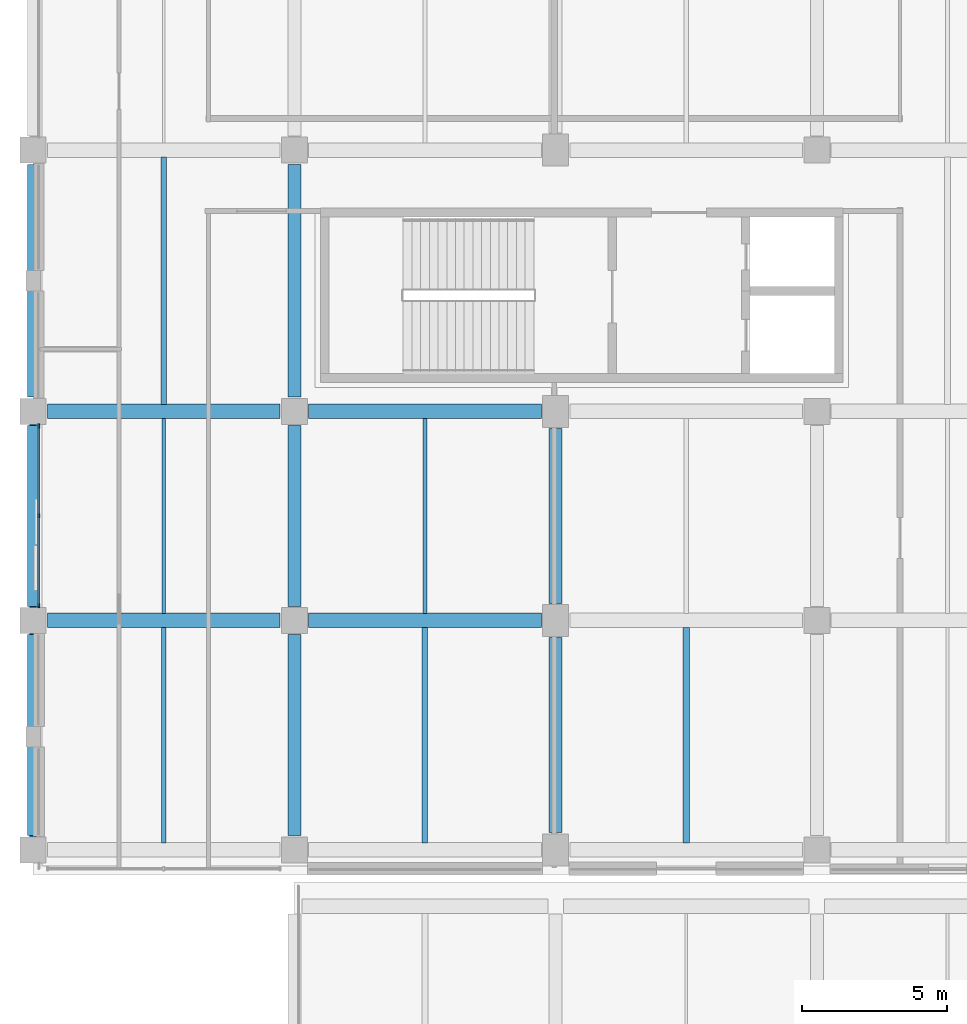
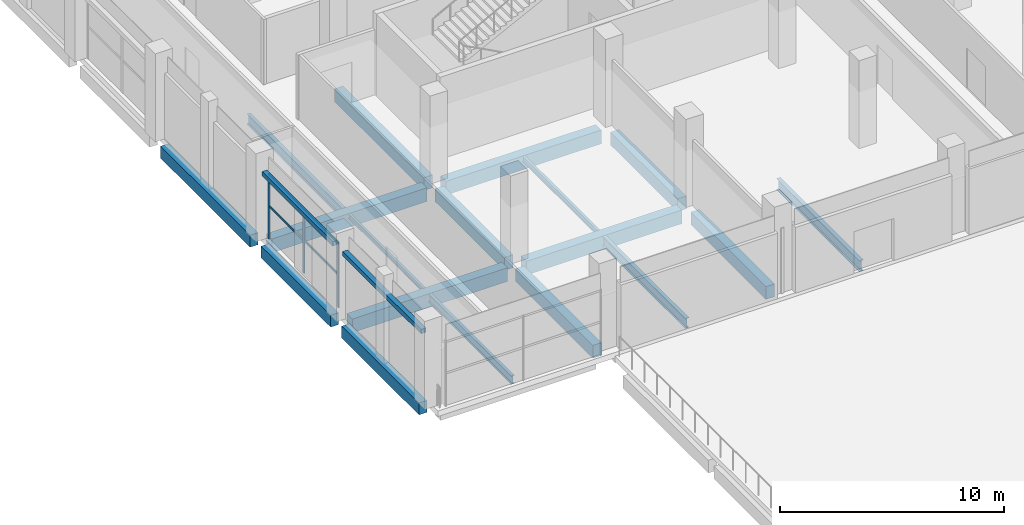
# One storey, part 7 of 82: 18 beams, 7 members, 1 element without a shape of its own.
"""IFC4 building model written with IfcOpenShell, lengths in metres."""

from ifc_helpers import new_model, si_unit, direction, frame, origin, origin_2d, place, context, subcontext, project, spatial, rectangle, hollow_rectangle, i_section, extrude, material, material_profile, profile_set, type_object, element, aggregate, save


model = new_model("IFC4")

# Units and contexts
model_context = context("Model", 3, precision=1e-05, world=origin(), true_north=direction((0.0, 1.0)))
body_context = subcontext(model_context, "Body", "Model", "MODEL_VIEW")
ifc_project = project(units=[si_unit("LENGTHUNIT", "METRE"), si_unit("AREAUNIT", "SQUARE_METRE"), si_unit("VOLUMEUNIT", "CUBIC_METRE"), si_unit("PLANEANGLEUNIT", "RADIAN"), si_unit("MASSUNIT", "GRAM", prefix="KILO"), si_unit("THERMODYNAMICTEMPERATUREUNIT", "KELVIN"), si_unit("POWERUNIT", "WATT")], contexts=[model_context])

# Site, building, storey
site_placement = place(None, origin())
site = spatial("IfcSite", under=ifc_project, at=site_placement, CompositionType="ELEMENT")
building_placement = place(site_placement, origin())
building = spatial("IfcBuilding", under=site, at=building_placement, Name="Sindhuravela Promenade Stadium", CompositionType="ELEMENT")
storey_placement = place(building_placement, frame((0.0, 0.0, 14.39990234375)))
storey = spatial("IfcBuildingStorey", under=building, at=storey_placement, Name="L03", CompositionType="ELEMENT", Elevation=14.39990234375)

# Curtain wall, members
ifc_material_1 = material(Name="Anodised architectural aluminium 6063-T6", Category="aluminium")
curtain_wall_type = type_object("IfcCurtainWallType", Name="CW-MOD-5", PredefinedType="NOTDEFINED", material=ifc_material_1)
curtain_wall_placement = place(storey_placement, origin())
curtain_wall = element("IfcCurtainWall", 1, at=curtain_wall_placement, inside=storey, type_object=curtain_wall_type, Name="Bronze curtain wall CW-WEST-L03-028", PredefinedType="NOTDEFINED")
ifc_material_profile_1 = material_profile(ifc_material_1, rectangle(XDim=0.06005859375, YDim=0.139892578125, at=origin_2d()), Name="ALU M60x140")
ifc_profile_set_1 = profile_set([ifc_material_profile_1], Name="Anodised architectural aluminium 6063-T6")
member_type_1 = type_object("IfcMemberType", Name="CW-MUL-5", PredefinedType="MULLION", material=ifc_profile_set_1)
member_1_placement = place(storey_placement, frame((0.199951171875, 45.5, 0.0), z_axis=(0.0, 0.0, 1.0), x_axis=(1.0, 0.0, 0.0)))
member_1 = element("IfcMember", 2, at=member_1_placement, type_object=member_type_1, Name="Curtain wall mullion CW-WEST-L03-028-M1", PredefinedType="MULLION", context=body_context, shape_type="SweptSolid", body=[
    extrude(rectangle(XDim=0.06005859375, YDim=0.139892578125, at=origin_2d()), origin(), (0.0, 0.0, 1.0), 3.580078125),
])
member_2_placement = place(storey_placement, frame((0.199951171875, 48.60009765625, 0.0), z_axis=(0.0, 0.0, 1.0), x_axis=(1.0, 0.0, 0.0)))
member_2 = element("IfcMember", 3, at=member_2_placement, type_object=member_type_1, Name="Curtain wall mullion CW-WEST-L03-028-M2", PredefinedType="MULLION", context=body_context, shape_type="SweptSolid", body=[
    extrude(rectangle(XDim=0.06005859375, YDim=0.139892578125, at=origin_2d()), origin(), (0.0, 0.0, 1.0), 3.580078125),
])
member_3_placement = place(storey_placement, frame((0.199951171875, 51.699951171875, 0.0), z_axis=(0.0, 0.0, 1.0), x_axis=(1.0, 0.0, 0.0)))
member_3 = element("IfcMember", 4, at=member_3_placement, type_object=member_type_1, Name="Curtain wall mullion CW-WEST-L03-028-M3", PredefinedType="MULLION", context=body_context, shape_type="SweptSolid", body=[
    extrude(rectangle(XDim=0.06005859375, YDim=0.139892578125, at=origin_2d()), origin(), (0.0, 0.0, 1.0), 3.580078125),
])
ifc_material_profile_2 = material_profile(ifc_material_1, rectangle(XDim=0.06005859375, YDim=0.110107421875, at=origin_2d()), Name="ALU T60x110")
ifc_profile_set_2 = profile_set([ifc_material_profile_2], Name="Anodised architectural aluminium 6063-T6")
member_type_2 = type_object("IfcMemberType", Name="CW-TRN-5", PredefinedType="USERDEFINED", material=ifc_profile_set_2)
member_4_placement = place(storey_placement, frame((0.199951171875, 45.47509765625, 1.7900390625), z_axis=(0.0, 1.0, 0.0), x_axis=(-1.0, 0.0, 0.0)))
member_4 = element("IfcMember", 5, at=member_4_placement, type_object=member_type_2, Name="Curtain wall transom CW-WEST-L03-028-T1", ObjectType="TRANSOM", PredefinedType="USERDEFINED", context=body_context, shape_type="SweptSolid", body=[
    extrude(rectangle(XDim=0.06005859375, YDim=0.110107421875, at=origin_2d()), origin(), (0.0, 0.0, 1.0), 6.25),
])
member_5_placement = place(storey_placement, frame((0.199951171875, 45.47509765625, 3.5), z_axis=(0.0, 1.0, 0.0), x_axis=(-1.0, 0.0, 0.0)))
member_5 = element("IfcMember", 6, at=member_5_placement, type_object=member_type_2, Name="Curtain wall transom CW-WEST-L03-028-T2", ObjectType="TRANSOM", PredefinedType="USERDEFINED", context=body_context, shape_type="SweptSolid", body=[
    extrude(rectangle(XDim=0.06005859375, YDim=0.110107421875, at=origin_2d()), origin(), (0.0, 0.0, 1.0), 6.25),
])
aggregate(curtain_wall, [member_1, member_2, member_3, member_4, member_5])

# Beams
ifc_material_2 = material(Name="Concrete M40", Category="concrete")
ifc_material_profile_3 = material_profile(ifc_material_2, rectangle(XDim=0.39990234375, YDim=0.64990234375, at=origin_2d()), Name="RC 400x650")
ifc_profile_set_3 = profile_set([ifc_material_profile_3], Name="Concrete M40")
beam_type_1 = type_object("IfcBeamType", Name="RC-BM-400x650", PredefinedType="SPANDREL", material=ifc_profile_set_3)
beam_1_placement = place(storey_placement, frame((0.0, 37.590087890625, -0.625), z_axis=(0.0, 1.0, 0.0), x_axis=(-1.0, 0.0, 0.0)))
element("IfcBeam", 7, at=beam_1_placement, inside=storey, type_object=beam_type_1, Name="Primary beam SP01 WEST L03", PredefinedType="SPANDREL", context=body_context, shape_type="SweptSolid", body=[
    extrude(rectangle(XDim=0.39990234375, YDim=0.64990234375, at=origin_2d()), origin(), (0.0, 0.0, 1.0), 6.919921875),
])
beam_2_placement = place(storey_placement, frame((0.0, 45.489990234375, -0.625), z_axis=(0.0, 1.0, 0.0), x_axis=(-1.0, 0.0, 0.0)))
element("IfcBeam", 8, at=beam_2_placement, inside=storey, type_object=beam_type_1, Name="Primary beam SP01 WEST L03", PredefinedType="SPANDREL", context=body_context, shape_type="SweptSolid", body=[
    extrude(rectangle(XDim=0.39990234375, YDim=0.64990234375, at=origin_2d()), origin(), (0.0, 0.0, 1.0), 6.219970703125),
])
beam_3_placement = place(storey_placement, frame((0.0, 52.68994140625, -0.625), z_axis=(0.0, 1.0, 0.0), x_axis=(-1.0, 0.0, 0.0)))
element("IfcBeam", 9, at=beam_3_placement, inside=storey, type_object=beam_type_1, Name="Primary beam SP01 WEST L03", PredefinedType="SPANDREL", context=body_context, shape_type="SweptSolid", body=[
    extrude(rectangle(XDim=0.39990234375, YDim=0.64990234375, at=origin_2d()), origin(), (0.0, 0.0, 1.0), 8.02001953125),
])
ifc_material_profile_4 = material_profile(ifc_material_2, rectangle(XDim=0.449951171875, YDim=0.699951171875, at=origin_2d()), Name="RC 450x700")
ifc_profile_set_4 = profile_set([ifc_material_profile_4], Name="Concrete M40")
beam_type_2 = type_object("IfcBeamType", Name="RC-BM-450x700", PredefinedType="BEAM", material=ifc_profile_set_4)
beam_4_placement = place(storey_placement, frame((9.0, 37.590087890625, -0.64990234375), z_axis=(0.0, 1.0, 0.0), x_axis=(-1.0, 0.0, 0.0)))
element("IfcBeam", 10, at=beam_4_placement, inside=storey, type_object=beam_type_2, Name="Primary beam GB07 WEST L03", PredefinedType="BEAM", context=body_context, shape_type="SweptSolid", body=[
    extrude(rectangle(XDim=0.449951171875, YDim=0.699951171875, at=origin_2d()), origin(), (0.0, 0.0, 1.0), 6.919921875),
])
beam_5_placement = place(storey_placement, frame((9.0, 45.489990234375, -0.64990234375), z_axis=(0.0, 1.0, 0.0), x_axis=(-1.0, 0.0, 0.0)))
element("IfcBeam", 11, at=beam_5_placement, inside=storey, type_object=beam_type_2, Name="Primary beam GB07 WEST L03", PredefinedType="BEAM", context=body_context, shape_type="SweptSolid", body=[
    extrude(rectangle(XDim=0.449951171875, YDim=0.699951171875, at=origin_2d()), origin(), (0.0, 0.0, 1.0), 6.219970703125),
])
beam_6_placement = place(storey_placement, frame((9.0, 52.68994140625, -0.64990234375), z_axis=(0.0, 1.0, 0.0), x_axis=(-1.0, 0.0, 0.0)))
element("IfcBeam", 12, at=beam_6_placement, inside=storey, type_object=beam_type_2, Name="Primary beam GB07 WEST L03", PredefinedType="BEAM", context=body_context, shape_type="SweptSolid", body=[
    extrude(rectangle(XDim=0.449951171875, YDim=0.699951171875, at=origin_2d()), origin(), (0.0, 0.0, 1.0), 8.02001953125),
])
beam_7_placement = place(storey_placement, frame((18.0, 37.68994140625, -0.64990234375), z_axis=(0.0, 1.0, 0.0), x_axis=(-1.0, 0.0, 0.0)))
element("IfcBeam", 13, at=beam_7_placement, inside=storey, type_object=beam_type_2, Name="Primary beam GB07 WEST L03", PredefinedType="BEAM", context=body_context, shape_type="SweptSolid", body=[
    extrude(rectangle(XDim=0.449951171875, YDim=0.699951171875, at=origin_2d()), origin(), (0.0, 0.0, 1.0), 6.719970703125),
])
beam_8_placement = place(storey_placement, frame((18.0, 45.590087890625, -0.64990234375), z_axis=(0.0, 1.0, 0.0), x_axis=(-1.0, 0.0, 0.0)))
element("IfcBeam", 14, at=beam_8_placement, inside=storey, type_object=beam_type_2, Name="Primary beam GB07 WEST L03", PredefinedType="BEAM", context=body_context, shape_type="SweptSolid", body=[
    extrude(rectangle(XDim=0.449951171875, YDim=0.699951171875, at=origin_2d()), origin(), (0.0, 0.0, 1.0), 6.02001953125),
])
ifc_material_profile_5 = material_profile(ifc_material_2, rectangle(XDim=0.5, YDim=0.75, at=origin_2d()), Name="RC 500x750")
ifc_profile_set_5 = profile_set([ifc_material_profile_5], Name="Concrete M40")
beam_type_3 = type_object("IfcBeamType", Name="RC-BM-500x750", PredefinedType="BEAM", material=ifc_profile_set_5)
for number, where, z_axis, x_axis, name in (
    (15, (0.489990234375, 45.0, -0.6748046875), (1.0, 0.0, 0.0), (0.0, 1.0, 0.0), "Primary girder GB06 WEST L03"),
    (16, (9.489990234375, 45.0, -0.6748046875), (1.0, 0.0, 0.0), (0.0, 1.0, 0.0), "Primary girder GB06 WEST L03"),
    (17, (0.489990234375, 52.199951171875, -0.6748046875), (1.0, 0.0, 0.0), (0.0, 1.0, 0.0), "Primary girder GB06 WEST L03"),
    (18, (9.489990234375, 52.199951171875, -0.6748046875), (1.0, 0.0, 0.0), (0.0, 1.0, 0.0), "Primary girder GB06 WEST L03"),
):
    element("IfcBeam", number, at=place(storey_placement, frame(where, z_axis=z_axis, x_axis=x_axis)), inside=storey, type_object=beam_type_3, Name=name, PredefinedType="BEAM", context=body_context, shape_type="SweptSolid", body=[
        extrude(rectangle(XDim=0.5, YDim=0.75, at=origin_2d()), origin(), (0.0, 0.0, 1.0), 8.02001953125),
    ])
ifc_material_3 = material(Name="Steel E350 (IS 2062 E350BR)", Category="steel")
ifc_material_profile_6 = material_profile(ifc_material_3, i_section(OverallWidth=0.125, OverallDepth=0.25, WebThickness=0.0068359375, FlangeThickness=0.012451171875, FilletRadius=0.012939453125, at=origin_2d()), Name="ISMB 250")
ifc_profile_set_6 = profile_set([ifc_material_profile_6], Name="Steel E350 (IS 2062 E350BR)")
beam_type_4 = type_object("IfcBeamType", Name="ST-BM-MB250", PredefinedType="JOIST", material=ifc_profile_set_6)
beam_9_placement = place(storey_placement, frame((4.5, 45.239990234375, -0.4248046875), z_axis=(0.0, 1.0, 0.0), x_axis=(-1.0, 0.0, 0.0)))
element("IfcBeam", 19, at=beam_9_placement, inside=storey, type_object=beam_type_4, Name="Secondary floor joist SB02 WEST L03", PredefinedType="JOIST", context=body_context, shape_type="SweptSolid", body=[
    extrude(i_section(OverallWidth=0.125, OverallDepth=0.25, WebThickness=0.0068359375, FlangeThickness=0.012451171875, FilletRadius=0.012939453125, at=origin_2d()), origin(), (0.0, 0.0, 1.0), 6.719970703125),
])
ifc_material_profile_7 = material_profile(ifc_material_3, i_section(OverallWidth=0.139892578125, OverallDepth=0.300048828125, WebThickness=0.0078125, FlangeThickness=0.01318359375, FilletRadius=0.013916015625, at=origin_2d()), Name="ISMB 300")
ifc_profile_set_7 = profile_set([ifc_material_profile_7], Name="Steel E350 (IS 2062 E350BR)")
beam_type_5 = type_object("IfcBeamType", Name="ST-BM-MB300", PredefinedType="JOIST", material=ifc_profile_set_7)
beam_10_placement = place(storey_placement, frame((13.5, 45.239990234375, -0.449951171875), z_axis=(0.0, 1.0, 0.0), x_axis=(-1.0, 0.0, 0.0)))
element("IfcBeam", 20, at=beam_10_placement, inside=storey, type_object=beam_type_5, Name="Secondary floor joist SB03 WEST L03", PredefinedType="JOIST", context=body_context, shape_type="SweptSolid", body=[
    extrude(i_section(OverallWidth=0.139892578125, OverallDepth=0.300048828125, WebThickness=0.0078125, FlangeThickness=0.01318359375, FilletRadius=0.013916015625, at=origin_2d()), origin(), (0.0, 0.0, 1.0), 6.719970703125),
])
ifc_material_profile_8 = material_profile(ifc_material_3, i_section(OverallWidth=0.14990234375, OverallDepth=0.449951171875, WebThickness=0.009521484375, FlangeThickness=0.017333984375, FilletRadius=0.014892578125, at=origin_2d()), Name="ISMB 450")
ifc_profile_set_8 = profile_set([ifc_material_profile_8], Name="Steel E350 (IS 2062 E350BR)")
beam_type_6 = type_object("IfcBeamType", Name="ST-BM-MB450", PredefinedType="BEAM", material=ifc_profile_set_8)
beam_11_placement = place(storey_placement, frame((4.5, 37.340087890625, -0.52490234375), z_axis=(0.0, 1.0, 0.0), x_axis=(-1.0, 0.0, 0.0)))
element("IfcBeam", 21, at=beam_11_placement, inside=storey, type_object=beam_type_6, Name="Secondary floor joist SB06 WEST L03", PredefinedType="BEAM", context=body_context, shape_type="SweptSolid", body=[
    extrude(i_section(OverallWidth=0.14990234375, OverallDepth=0.449951171875, WebThickness=0.009521484375, FlangeThickness=0.017333984375, FilletRadius=0.014892578125, at=origin_2d()), origin(), (0.0, 0.0, 1.0), 7.419921875),
])
ifc_material_profile_9 = material_profile(ifc_material_3, i_section(OverallWidth=0.18994140625, OverallDepth=0.550048828125, WebThickness=0.01123046875, FlangeThickness=0.019287109375, FilletRadius=0.01806640625, at=origin_2d()), Name="ISMB 550")
ifc_profile_set_9 = profile_set([ifc_material_profile_9], Name="Steel E350 (IS 2062 E350BR)")
beam_type_7 = type_object("IfcBeamType", Name="ST-BM-MB550", PredefinedType="SPANDREL", material=ifc_profile_set_9)
beam_12_placement = place(storey_placement, frame((13.5, 37.340087890625, -0.574951171875), z_axis=(0.0, 1.0, 0.0), x_axis=(-1.0, 0.0, 0.0)))
element("IfcBeam", 22, at=beam_12_placement, inside=storey, type_object=beam_type_7, Name="Secondary floor joist SB08 WEST L03", PredefinedType="SPANDREL", context=body_context, shape_type="SweptSolid", body=[
    extrude(i_section(OverallWidth=0.18994140625, OverallDepth=0.550048828125, WebThickness=0.01123046875, FlangeThickness=0.019287109375, FilletRadius=0.01806640625, at=origin_2d()), origin(), (0.0, 0.0, 1.0), 7.419921875),
])
beam_13_placement = place(storey_placement, frame((4.5, 52.43994140625, -0.574951171875), z_axis=(0.0, 1.0, 0.0), x_axis=(-1.0, 0.0, 0.0)))
element("IfcBeam", 23, at=beam_13_placement, inside=storey, type_object=beam_type_7, Name="Secondary floor joist SB08 WEST L03", PredefinedType="SPANDREL", context=body_context, shape_type="SweptSolid", body=[
    extrude(i_section(OverallWidth=0.18994140625, OverallDepth=0.550048828125, WebThickness=0.01123046875, FlangeThickness=0.019287109375, FilletRadius=0.01806640625, at=origin_2d()), origin(), (0.0, 0.0, 1.0), 8.52001953125),
])
ifc_material_profile_10 = material_profile(ifc_material_3, i_section(OverallWidth=0.2099609375, OverallDepth=0.60009765625, WebThickness=0.011962890625, FlangeThickness=0.020751953125, FilletRadius=0.02001953125, at=origin_2d()), Name="ISMB 600")
ifc_profile_set_10 = profile_set([ifc_material_profile_10], Name="Steel E350 (IS 2062 E350BR)")
beam_type_8 = type_object("IfcBeamType", Name="ST-BM-MB600", PredefinedType="BEAM", material=ifc_profile_set_10)
beam_14_placement = place(storey_placement, frame((22.5, 37.340087890625, -0.599853515625), z_axis=(0.0, 1.0, 0.0), x_axis=(-1.0, 0.0, 0.0)))
element("IfcBeam", 24, at=beam_14_placement, inside=storey, type_object=beam_type_8, Name="Secondary floor joist SB09 WEST L03", PredefinedType="BEAM", context=body_context, shape_type="SweptSolid", body=[
    extrude(i_section(OverallWidth=0.2099609375, OverallDepth=0.60009765625, WebThickness=0.011962890625, FlangeThickness=0.020751953125, FilletRadius=0.02001953125, at=origin_2d()), origin(), (0.0, 0.0, 1.0), 7.419921875),
])

# Members
ifc_material_profile_11 = material_profile(ifc_material_3, hollow_rectangle(XDim=0.25, YDim=0.25, WallThickness=0.011962890625, at=origin_2d()), Name="SHS 250x250x12")
ifc_profile_set_11 = profile_set([ifc_material_profile_11], Name="Steel E350 (IS 2062 E350BR)")
member_type_3 = type_object("IfcMemberType", Name="ST-MB-SHS250", PredefinedType="CHORD", material=ifc_profile_set_11)
member_6_placement = place(storey_placement, frame((0.0, 45.44189453125, 3.60009765625), z_axis=(0.0, 1.0, 0.0), x_axis=(-1.0, 0.0, 0.0)))
element("IfcMember", 25, at=member_6_placement, inside=storey, type_object=member_type_3, Name="Portal tie member MC01-7", PredefinedType="CHORD", context=body_context, shape_type="SweptSolid", body=[
    extrude(hollow_rectangle(XDim=0.25, YDim=0.25, WallThickness=0.011962890625, at=origin_2d()), origin(), (0.0, 0.0, 1.0), 6.316162109375),
])
member_7_placement = place(storey_placement, frame((0.0, 37.5419921875, 3.60009765625), z_axis=(0.0, 1.0, 0.0), x_axis=(-1.0, 0.0, 0.0)))
element("IfcMember", 26, at=member_7_placement, inside=storey, type_object=member_type_3, Name="Portal tie member MC01-12", PredefinedType="CHORD", context=body_context, shape_type="SweptSolid", body=[
    extrude(hollow_rectangle(XDim=0.25, YDim=0.25, WallThickness=0.011962890625, at=origin_2d()), origin(), (0.0, 0.0, 1.0), 7.01611328125),
])

save(model, "model.ifc")
